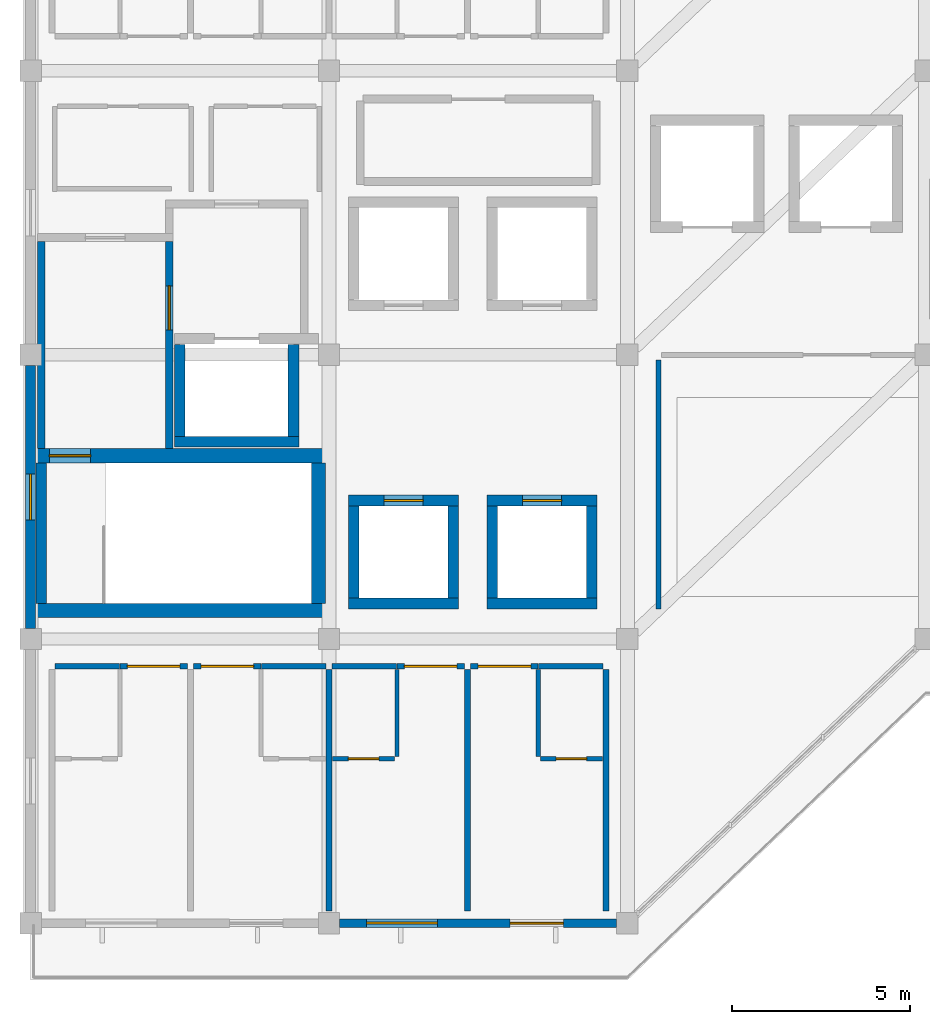
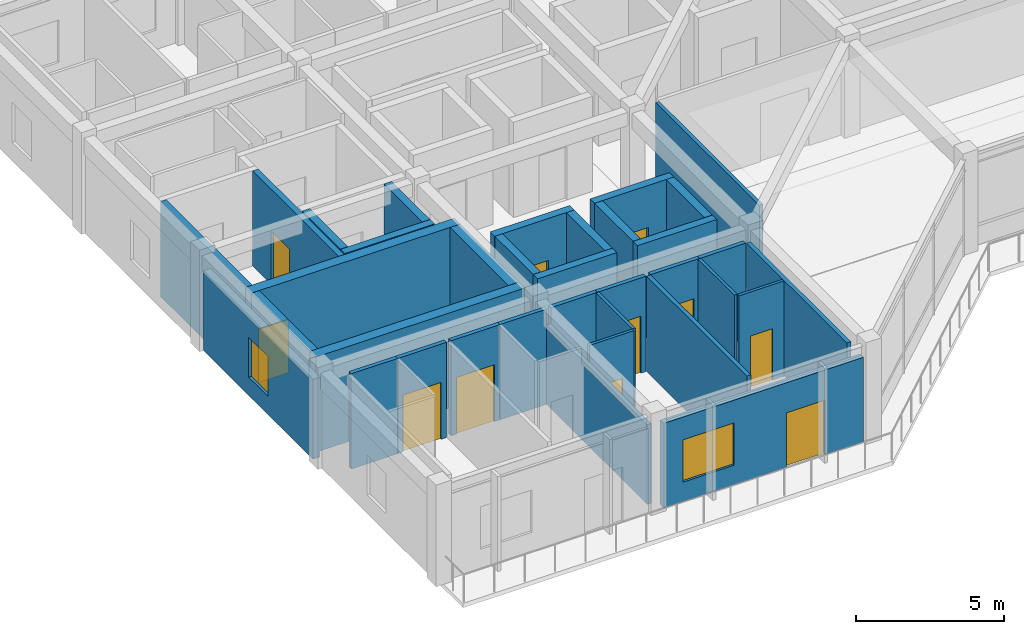
# One storey, part 7 of 11: 35 walls, 11 doors, 2 windows, 13 openings.
"""IFC4 building model written with IfcOpenShell, lengths in metres."""

from ifc_helpers import new_model, si_unit, direction, frame, frame_2d, origin, place, context, subcontext, project, spatial, rectangle, extrude, material, layer, layer_set, type_object, element, fill, save


model = new_model("IFC4")

# Units and contexts
model_context = context("Model", 3, precision=1e-05, world=origin(), true_north=direction((0.0, 1.0)))
body_context = subcontext(model_context, "Body", "Model", "MODEL_VIEW")
ifc_project = project(units=[si_unit("LENGTHUNIT", "METRE"), si_unit("AREAUNIT", "SQUARE_METRE"), si_unit("VOLUMEUNIT", "CUBIC_METRE"), si_unit("PLANEANGLEUNIT", "RADIAN"), si_unit("MASSUNIT", "GRAM", prefix="KILO")], contexts=[model_context])

# Site, building, storey
site_placement = place(None, origin())
site = spatial("IfcSite", under=ifc_project, at=site_placement, CompositionType="ELEMENT")
building_placement = place(site_placement, origin())
building = spatial("IfcBuilding", under=site, at=building_placement, Name="Naruveol Harbour Congress Hotel", CompositionType="ELEMENT")
storey_placement = place(building_placement, frame((0.0, 0.0, 47.39990234375)))
storey = spatial("IfcBuildingStorey", under=building, at=storey_placement, Name="L11", CompositionType="ELEMENT", Elevation=47.39990234375)

# Wall
ifc_material_1 = material(Name="Acoustic Double Stud Gypsum", Category="gypsum")
ifc_layer_1 = layer(ifc_material_1, 0.139892578125)
ifc_layer_set_1 = layer_set([ifc_layer_1], Name="Acoustic Double Stud Gypsum")
wall_type_1 = type_object("IfcWallType", Name="ACOUSTIC MEETING PARTITION WALL 140", PredefinedType="PARTITIONING", material=ifc_layer_set_1)
wall_1_placement = place(storey_placement, frame((143.679931640625, 8.85009765625, 0.0), z_axis=(0.0, 0.0, 1.0), x_axis=(0.0, 1.0, 0.0)))
element("IfcWall", 1, at=wall_1_placement, inside=storey, type_object=wall_type_1, Name="Sky Panorama Restaurant west partition PW-140", PredefinedType="PARTITIONING", context=body_context, shape_type="SweptSolid", body=[
    extrude(rectangle(XDim=7.010009765625, YDim=0.139892578125, at=frame_2d((3.5048828125, 0.0))), origin(), (0.0, 0.0, 1.0), 3.93505859375),
])

# Wall, opening, window
ifc_material_2 = material(Name="Precast concrete C40/50", Category="concrete")
ifc_layer_2 = layer(ifc_material_2, 0.280029296875)
ifc_layer_set_2 = layer_set([ifc_layer_2], Name="Precast concrete C40/50")
wall_type_2 = type_object("IfcWallType", Name="ARCHITECTURAL PRECAST FACADE WALL 280", PredefinedType="SOLIDWALL", material=ifc_layer_set_2)
wall_2_placement = place(storey_placement, frame((126.0, 8.300048828125, 0.0), z_axis=(0.0, 0.0, 1.0), x_axis=(0.0, 1.0, 0.0)))
wall_2 = element("IfcWall", 2, at=wall_2_placement, inside=storey, type_object=wall_type_2, Name="Hotel west gable wall L11 EW-280", PredefinedType="SOLIDWALL", context=body_context, shape_type="SweptSolid", body=[
    extrude(rectangle(XDim=7.39990234375, YDim=0.280029296875, at=frame_2d((3.699951171875, 0.0))), origin(), (0.0, 0.0, 1.0), 3.300048828125),
])
opening_1_placement = place(wall_2_placement, frame((3.050048828125, 0.0, 0.75)))
opening_1 = element("IfcOpeningElement", 3, at=opening_1_placement, cuts=wall_2, Name="Opening W-27", PredefinedType="OPENING", context=body_context, shape_type="SweptSolid", body=[
    extrude(rectangle(XDim=1.300048828125, YDim=1.64990234375, at=frame_2d((0.64990234375, 0.824951171875))), frame((0.0, 0.14990234375, 0.0), z_axis=(0.0, -1.0, 0.0), x_axis=(1.0, 0.0, 0.0)), (0.0, 0.0, 1.0), 0.300048828125),
])
ifc_material_3 = material(Name="Low-E Triple Glazing in Thermal Aluminium", Category="aluminium")
window_type_1 = type_object("IfcWindowType", Name="READING SALON TALL WINDOW 1300X1650", PartitioningType="SINGLE_PANEL", PredefinedType="WINDOW", material=ifc_material_3)
window_1_placement = place(opening_1_placement, origin())
window_1 = element("IfcWindow", 4, at=window_1_placement, inside=storey, type_object=window_type_1, Name="Window W-27 #515", OverallHeight=1.64990234375, OverallWidth=1.300048828125, PartitioningType="SINGLE_PANEL", PredefinedType="WINDOW", context=body_context, shape_type="SweptSolid", body=[
    extrude(rectangle(XDim=1.300048828125, YDim=1.64990234375, at=frame_2d((0.64990234375, 0.824951171875))), frame((0.0, 0.030029296875, 0.0), z_axis=(0.0, -1.0, 0.0), x_axis=(1.0, 0.0, 0.0)), (0.0, 0.0, 1.0), 0.06005859375),
])
fill(opening_1, window_1)

# Wall
ifc_material_4 = material(Name="Moisture-Resistant Gypsum Partition", Category="gypsum")
ifc_layer_3 = layer(ifc_material_4, 0.114990234375)
ifc_layer_set_3 = layer_set([ifc_layer_3], Name="Moisture-Resistant Gypsum Partition")
wall_type_3 = type_object("IfcWallType", Name="BATHROOM MOISTURE PARTITION WALL 115", PredefinedType="PARTITIONING", material=ifc_layer_set_3)
wall_3_placement = place(storey_placement, frame((136.31005859375, 4.68994140625, 0.0), z_axis=(0.0, 0.0, 1.0), x_axis=(0.0, 1.0, 0.0)))
element("IfcWall", 5, at=wall_3_placement, inside=storey, type_object=wall_type_3, Name="Bathroom east wall 1207 PW-115", PredefinedType="PARTITIONING", context=body_context, shape_type="SweptSolid", body=[
    extrude(rectangle(XDim=2.449951171875, YDim=0.114990234375, at=frame_2d((1.22509765625, 0.0))), origin(), (0.0, 0.0, 1.0), 3.93505859375),
])

# Wall, opening, door
wall_4_placement = place(storey_placement, frame((134.5, 4.6298828125, 0.0), z_axis=(0.0, 0.0, 1.0), x_axis=(1.0, 0.0, 0.0)))
wall_4 = element("IfcWall", 6, at=wall_4_placement, inside=storey, type_object=wall_type_3, Name="Bathroom south wall 1207 PW-115", PredefinedType="PARTITIONING", context=body_context, shape_type="SweptSolid", body=[
    extrude(rectangle(XDim=1.75, YDim=0.114990234375, at=frame_2d((0.875, 0.0))), origin(), (0.0, 0.0, 1.0), 3.93505859375),
])
opening_2_placement = place(wall_4_placement, frame((0.445068359375, 0.0, 0.0)))
opening_2 = element("IfcOpeningElement", 7, at=opening_2_placement, cuts=wall_4, Name="Opening BD-RM1207", PredefinedType="OPENING", context=body_context, shape_type="SweptSolid", body=[
    extrude(rectangle(XDim=0.860107421875, YDim=2.1201171875, at=frame_2d((0.43017578125, 1.06005859375))), frame((0.0, 0.0673828125, 0.0), z_axis=(0.0, -1.0, 0.0), x_axis=(1.0, 0.0, 0.0)), (0.0, 0.0, 1.0), 0.135009765625),
])
ifc_material_5 = material(Name="Timber & Steel Acoustic Leaf", Category="steel")
door_type_1 = type_object("IfcDoorType", Name="GUEST BATHROOM DOOR 860X2120", OperationType="NOTDEFINED", PredefinedType="DOOR", material=ifc_material_5)
door_1_placement = place(opening_2_placement, origin())
door_1 = element("IfcDoor", 8, at=door_1_placement, inside=storey, type_object=door_type_1, Name="Bathroom Door 1207", OperationType="SINGLE_SWING_LEFT", OverallHeight=2.1201171875, OverallWidth=0.860107421875, PredefinedType="DOOR", context=body_context, shape_type="SweptSolid", body=[
    extrude(rectangle(XDim=0.860107421875, YDim=2.1201171875, at=frame_2d((0.43017578125, 1.06005859375))), frame((0.0, 0.02490234375, 0.0), z_axis=(0.0, -1.0, 0.0), x_axis=(1.0, 0.0, 0.0)), (0.0, 0.0, 1.0), 0.050048828125),
])
fill(opening_2, door_1)

# Wall
wall_5_placement = place(storey_placement, frame((140.2900390625, 4.68994140625, 0.0), z_axis=(0.0, 0.0, 1.0), x_axis=(0.0, 1.0, 0.0)))
element("IfcWall", 9, at=wall_5_placement, inside=storey, type_object=wall_type_3, Name="Bathroom west wall 1208 PW-115", PredefinedType="PARTITIONING", context=body_context, shape_type="SweptSolid", body=[
    extrude(rectangle(XDim=2.449951171875, YDim=0.114990234375, at=frame_2d((1.22509765625, 0.0))), origin(), (0.0, 0.0, 1.0), 3.93505859375),
])

# Wall, opening, door
wall_6_placement = place(storey_placement, frame((140.35009765625, 4.6298828125, 0.0), z_axis=(0.0, 0.0, 1.0), x_axis=(1.0, 0.0, 0.0)))
wall_6 = element("IfcWall", 10, at=wall_6_placement, inside=storey, type_object=wall_type_3, Name="Bathroom south wall 1208 PW-115", PredefinedType="PARTITIONING", context=body_context, shape_type="SweptSolid", body=[
    extrude(rectangle(XDim=1.75, YDim=0.114990234375, at=frame_2d((0.875, 0.0))), origin(), (0.0, 0.0, 1.0), 3.93505859375),
])
opening_3_placement = place(wall_6_placement, frame((0.445068359375, 0.0, 0.0)))
opening_3 = element("IfcOpeningElement", 11, at=opening_3_placement, cuts=wall_6, Name="Opening BD-RM1208", PredefinedType="OPENING", context=body_context, shape_type="SweptSolid", body=[
    extrude(rectangle(XDim=0.860107421875, YDim=2.1201171875, at=frame_2d((0.43017578125, 1.06005859375))), frame((0.0, 0.0673828125, 0.0), z_axis=(0.0, -1.0, 0.0), x_axis=(1.0, 0.0, 0.0)), (0.0, 0.0, 1.0), 0.135009765625),
])
door_2_placement = place(opening_3_placement, origin())
door_2 = element("IfcDoor", 12, at=door_2_placement, inside=storey, type_object=door_type_1, Name="Bathroom Door 1208", OperationType="SINGLE_SWING_RIGHT", OverallHeight=2.1201171875, OverallWidth=0.860107421875, PredefinedType="DOOR", context=body_context, shape_type="SweptSolid", body=[
    extrude(rectangle(XDim=0.860107421875, YDim=2.1201171875, at=frame_2d((0.43017578125, 1.06005859375))), frame((0.0, 0.02490234375, 0.0), z_axis=(0.0, -1.0, 0.0), x_axis=(1.0, 0.0, 0.0)), (0.0, 0.0, 1.0), 0.050048828125),
])
fill(opening_3, door_2)

# Wall
ifc_material_6 = material(Name="Concrete C40/50", Category="concrete")
ifc_layer_4 = layer(ifc_material_6, 0.219970703125)
ifc_layer_set_4 = layer_set([ifc_layer_4], Name="Concrete C40/50")
wall_type_4 = type_object("IfcWallType", Name="FIRE COMPARTMENT AND LOBBY WALL 220 EI120", PredefinedType="PARTITIONING", material=ifc_layer_set_4)
wall_7_placement = place(storey_placement, frame((126.300048828125, 13.364990234375, 0.0), z_axis=(0.0, 0.0, 1.0), x_axis=(0.0, 1.0, 0.0)))
element("IfcWall", 13, at=wall_7_placement, inside=storey, type_object=wall_type_4, Name="Smoke vestibule ST1 west wall FW-220", PredefinedType="PARTITIONING", context=body_context, shape_type="SweptSolid", body=[
    extrude(rectangle(XDim=5.820068359375, YDim=0.219970703125, at=frame_2d((2.91015625, 0.0))), origin(), (0.0, 0.0, 1.0), 3.93505859375),
])

# Wall, opening, door
wall_8_placement = place(storey_placement, frame((129.89990234375, 13.364990234375, 0.0), z_axis=(0.0, 0.0, 1.0), x_axis=(0.0, 1.0, 0.0)))
wall_8 = element("IfcWall", 14, at=wall_8_placement, inside=storey, type_object=wall_type_4, Name="Smoke vestibule ST1 east wall FW-220", PredefinedType="PARTITIONING", context=body_context, shape_type="SweptSolid", body=[
    extrude(rectangle(XDim=5.820068359375, YDim=0.219970703125, at=frame_2d((2.91015625, 0.0))), origin(), (0.0, 0.0, 1.0), 3.93505859375),
])
opening_4_placement = place(wall_8_placement, frame((3.3349609375, 0.0, 0.0)))
opening_4 = element("IfcOpeningElement", 15, at=opening_4_placement, cuts=wall_8, Name="Opening FD-FFL-ST1-L11", PredefinedType="OPENING", context=body_context, shape_type="SweptSolid", body=[
    extrude(rectangle(XDim=1.239990234375, YDim=2.199951171875, at=frame_2d((0.6201171875, 1.10009765625))), frame((0.0, 0.119873046875, 0.0), z_axis=(0.0, -1.0, 0.0), x_axis=(1.0, 0.0, 0.0)), (0.0, 0.0, 1.0), 0.239990234375),
])
ifc_material_7 = material(Name="Timber & Steel Acoustic Leaf", Category="steel")
door_type_2 = type_object("IfcDoorType", Name="FIREFIGHTING LOBBY FIRE DOOR 1240X2200", OperationType="NOTDEFINED", PredefinedType="DOOR", material=ifc_material_7)
door_3_placement = place(opening_4_placement, origin())
door_3 = element("IfcDoor", 16, at=door_3_placement, inside=storey, type_object=door_type_2, Name="Firefighting Lobby Vestibule Door ST1 L11", OperationType="SINGLE_SWING_RIGHT", OverallHeight=2.199951171875, OverallWidth=1.239990234375, PredefinedType="DOOR", context=body_context, shape_type="SweptSolid", body=[
    extrude(rectangle(XDim=1.239990234375, YDim=2.199951171875, at=frame_2d((0.6201171875, 1.10009765625))), frame((0.0, 0.02490234375, 0.0), z_axis=(0.0, -1.0, 0.0), x_axis=(1.0, 0.0, 0.0)), (0.0, 0.0, 1.0), 0.050048828125),
])
fill(opening_4, door_3)

# Wall
ifc_material_8 = material(Name="Autoclaved Aerated Concrete Block", Category="concrete")
ifc_layer_5 = layer(ifc_material_8, 0.159912109375)
ifc_layer_set_5 = layer_set([ifc_layer_5], Name="Autoclaved Aerated Concrete Block")
wall_type_5 = type_object("IfcWallType", Name="HOTEL PARTY AND CORRIDOR WALL 160 EI60", PredefinedType="PARTITIONING", material=ifc_layer_set_5)
wall_9_placement = place(storey_placement, frame((126.68994140625, 7.22998046875, 0.0), z_axis=(0.0, 0.0, 1.0), x_axis=(1.0, 0.0, 0.0)))
element("IfcWall", 17, at=wall_9_placement, inside=storey, type_object=wall_type_5, Name="Corridor wall 1205B PW-160", PredefinedType="PARTITIONING", context=body_context, shape_type="SweptSolid", body=[
    extrude(rectangle(XDim=1.81005859375, YDim=0.159912109375, at=frame_2d((0.905029296875, 0.0))), origin(), (0.0, 0.0, 1.0), 3.93505859375),
])

# Wall, opening, door
wall_10_placement = place(storey_placement, frame((128.510009765625, 7.22998046875, 0.0), z_axis=(0.0, 0.0, 1.0), x_axis=(1.0, 0.0, 0.0)))
wall_10 = element("IfcWall", 18, at=wall_10_placement, inside=storey, type_object=wall_type_5, Name="Corridor entry wall 1205 PW-160", PredefinedType="PARTITIONING", context=body_context, shape_type="SweptSolid", body=[
    extrude(rectangle(XDim=1.89990234375, YDim=0.159912109375, at=frame_2d((0.949951171875, 0.0))), origin(), (0.0, 0.0, 1.0), 3.93505859375),
])
opening_5_placement = place(wall_10_placement, frame((0.2099609375, 0.0, 0.0)))
opening_5 = element("IfcOpeningElement", 19, at=opening_5_placement, cuts=wall_10, Name="Opening FD-RM1205", PredefinedType="OPENING", context=body_context, shape_type="SweptSolid", body=[
    extrude(rectangle(XDim=1.47998046875, YDim=2.35009765625, at=frame_2d((0.739990234375, 1.175048828125))), frame((0.0, 0.08984375, 0.0), z_axis=(0.0, -1.0, 0.0), x_axis=(1.0, 0.0, 0.0)), (0.0, 0.0, 1.0), 0.179931640625),
])
ifc_material_9 = material(Name="Timber & Steel Acoustic Leaf", Category="steel")
door_type_3 = type_object("IfcDoorType", Name="PRESIDENTIAL SUITE DOUBLE FIRE DOOR 1480X2350", OperationType="DOUBLE_DOOR_SINGLE_SWING", PredefinedType="DOOR", material=ifc_material_9)
door_4_placement = place(opening_5_placement, origin())
door_4 = element("IfcDoor", 20, at=door_4_placement, inside=storey, type_object=door_type_3, Name="Hotel Room Door 1205", OperationType="DOUBLE_DOOR_SINGLE_SWING", OverallHeight=2.35009765625, OverallWidth=1.47998046875, PredefinedType="DOOR", context=body_context, shape_type="SweptSolid", body=[
    extrude(rectangle(XDim=1.47998046875, YDim=2.35009765625, at=frame_2d((0.739990234375, 1.175048828125))), frame((0.0, 0.02490234375, 0.0), z_axis=(0.0, -1.0, 0.0), x_axis=(1.0, 0.0, 0.0)), (0.0, 0.0, 1.0), 0.050048828125),
])
fill(opening_5, door_4)

wall_11_placement = place(storey_placement, frame((130.590087890625, 7.22998046875, 0.0), z_axis=(0.0, 0.0, 1.0), x_axis=(1.0, 0.0, 0.0)))
wall_11 = element("IfcWall", 21, at=wall_11_placement, inside=storey, type_object=wall_type_5, Name="Corridor entry wall 1206 PW-160", PredefinedType="PARTITIONING", context=body_context, shape_type="SweptSolid", body=[
    extrude(rectangle(XDim=1.89990234375, YDim=0.159912109375, at=frame_2d((0.949951171875, 0.0))), origin(), (0.0, 0.0, 1.0), 3.93505859375),
])
opening_6_placement = place(wall_11_placement, frame((0.2099609375, 0.0, 0.0)))
opening_6 = element("IfcOpeningElement", 22, at=opening_6_placement, cuts=wall_11, Name="Opening FD-RM1206", PredefinedType="OPENING", context=body_context, shape_type="SweptSolid", body=[
    extrude(rectangle(XDim=1.47998046875, YDim=2.35009765625, at=frame_2d((0.739990234375, 1.175048828125))), frame((0.0, 0.08984375, 0.0), z_axis=(0.0, -1.0, 0.0), x_axis=(1.0, 0.0, 0.0)), (0.0, 0.0, 1.0), 0.179931640625),
])
door_5_placement = place(opening_6_placement, origin())
door_5 = element("IfcDoor", 23, at=door_5_placement, inside=storey, type_object=door_type_3, Name="Hotel Room Door 1206", OperationType="DOUBLE_DOOR_SINGLE_SWING", OverallHeight=2.35009765625, OverallWidth=1.47998046875, PredefinedType="DOOR", context=body_context, shape_type="SweptSolid", body=[
    extrude(rectangle(XDim=1.47998046875, YDim=2.35009765625, at=frame_2d((0.739990234375, 1.175048828125))), frame((0.0, 0.02490234375, 0.0), z_axis=(0.0, -1.0, 0.0), x_axis=(1.0, 0.0, 0.0)), (0.0, 0.0, 1.0), 0.050048828125),
])
fill(opening_6, door_5)

# Walls
for number, where, z_axis, x_axis, name in (
    (24, (132.5, 7.22998046875, 0.0), (0.0, 0.0, 1.0), (1.0, 0.0, 0.0), "Corridor wall 1206B PW-160"),
    (25, (134.489990234375, 7.22998046875, 0.0), (0.0, 0.0, 1.0), (1.0, 0.0, 0.0), "Corridor wall 1207B PW-160"),
):
    element("IfcWall", number, at=place(storey_placement, frame(where, z_axis=z_axis, x_axis=x_axis)), inside=storey, type_object=wall_type_5, Name=name, PredefinedType="PARTITIONING", context=body_context, shape_type="SweptSolid", body=[
        extrude(rectangle(XDim=1.81005859375, YDim=0.159912109375, at=frame_2d((0.905029296875, 0.0))), origin(), (0.0, 0.0, 1.0), 3.93505859375),
    ])

# Wall, opening, door
wall_12_placement = place(storey_placement, frame((136.31005859375, 7.22998046875, 0.0), z_axis=(0.0, 0.0, 1.0), x_axis=(1.0, 0.0, 0.0)))
wall_12 = element("IfcWall", 26, at=wall_12_placement, inside=storey, type_object=wall_type_5, Name="Corridor entry wall 1207 PW-160", PredefinedType="PARTITIONING", context=body_context, shape_type="SweptSolid", body=[
    extrude(rectangle(XDim=1.89990234375, YDim=0.159912109375, at=frame_2d((0.949951171875, 0.0))), origin(), (0.0, 0.0, 1.0), 3.93505859375),
])
opening_7_placement = place(wall_12_placement, frame((0.2099609375, 0.0, 0.0)))
opening_7 = element("IfcOpeningElement", 27, at=opening_7_placement, cuts=wall_12, Name="Opening FD-RM1207", PredefinedType="OPENING", context=body_context, shape_type="SweptSolid", body=[
    extrude(rectangle(XDim=1.47998046875, YDim=2.35009765625, at=frame_2d((0.739990234375, 1.175048828125))), frame((0.0, 0.08984375, 0.0), z_axis=(0.0, -1.0, 0.0), x_axis=(1.0, 0.0, 0.0)), (0.0, 0.0, 1.0), 0.179931640625),
])
door_6_placement = place(opening_7_placement, origin())
door_6 = element("IfcDoor", 28, at=door_6_placement, inside=storey, type_object=door_type_3, Name="Hotel Room Door 1207", OperationType="DOUBLE_DOOR_SINGLE_SWING", OverallHeight=2.35009765625, OverallWidth=1.47998046875, PredefinedType="DOOR", context=body_context, shape_type="SweptSolid", body=[
    extrude(rectangle(XDim=1.47998046875, YDim=2.35009765625, at=frame_2d((0.739990234375, 1.175048828125))), frame((0.0, 0.02490234375, 0.0), z_axis=(0.0, -1.0, 0.0), x_axis=(1.0, 0.0, 0.0)), (0.0, 0.0, 1.0), 0.050048828125),
])
fill(opening_7, door_6)

# Wall
wall_13_placement = place(storey_placement, frame((134.39990234375, 0.340087890625, 0.0), z_axis=(0.0, 0.0, 1.0), x_axis=(0.0, 1.0, 0.0)))
element("IfcWall", 29, at=wall_13_placement, inside=storey, type_object=wall_type_5, Name="Hotel party wall 1207 PW-160", PredefinedType="PARTITIONING", context=body_context, shape_type="SweptSolid", body=[
    extrude(rectangle(XDim=6.7998046875, YDim=0.159912109375, at=frame_2d((3.39990234375, 0.0))), origin(), (0.0, 0.0, 1.0), 3.2900390625),
])

# Wall, opening, door
wall_14_placement = place(storey_placement, frame((138.389892578125, 7.22998046875, 0.0), z_axis=(0.0, 0.0, 1.0), x_axis=(1.0, 0.0, 0.0)))
wall_14 = element("IfcWall", 30, at=wall_14_placement, inside=storey, type_object=wall_type_5, Name="Corridor entry wall 1208 PW-160", PredefinedType="PARTITIONING", context=body_context, shape_type="SweptSolid", body=[
    extrude(rectangle(XDim=1.900146484375, YDim=0.159912109375, at=frame_2d((0.9501953125, 0.0))), origin(), (0.0, 0.0, 1.0), 3.93505859375),
])
opening_8_placement = place(wall_14_placement, frame((0.2099609375, 0.0, 0.0)))
opening_8 = element("IfcOpeningElement", 31, at=opening_8_placement, cuts=wall_14, Name="Opening FD-RM1208", PredefinedType="OPENING", context=body_context, shape_type="SweptSolid", body=[
    extrude(rectangle(XDim=1.47998046875, YDim=2.35009765625, at=frame_2d((0.739990234375, 1.175048828125))), frame((0.0, 0.08984375, 0.0), z_axis=(0.0, -1.0, 0.0), x_axis=(1.0, 0.0, 0.0)), (0.0, 0.0, 1.0), 0.179931640625),
])
door_7_placement = place(opening_8_placement, origin())
door_7 = element("IfcDoor", 32, at=door_7_placement, inside=storey, type_object=door_type_3, Name="Hotel Room Door 1208", OperationType="DOUBLE_DOOR_SINGLE_SWING", OverallHeight=2.35009765625, OverallWidth=1.47998046875, PredefinedType="DOOR", context=body_context, shape_type="SweptSolid", body=[
    extrude(rectangle(XDim=1.47998046875, YDim=2.35009765625, at=frame_2d((0.739990234375, 1.175048828125))), frame((0.0, 0.02490234375, 0.0), z_axis=(0.0, -1.0, 0.0), x_axis=(1.0, 0.0, 0.0)), (0.0, 0.0, 1.0), 0.050048828125),
])
fill(opening_8, door_7)

# Walls
wall_15_placement = place(storey_placement, frame((140.300048828125, 7.22998046875, 0.0), z_axis=(0.0, 0.0, 1.0), x_axis=(1.0, 0.0, 0.0)))
element("IfcWall", 33, at=wall_15_placement, inside=storey, type_object=wall_type_5, Name="Corridor wall 1208B PW-160", PredefinedType="PARTITIONING", context=body_context, shape_type="SweptSolid", body=[
    extrude(rectangle(XDim=1.81005859375, YDim=0.159912109375, at=frame_2d((0.905029296875, 0.0))), origin(), (0.0, 0.0, 1.0), 3.93505859375),
])
for number, where, z_axis, x_axis, name in (
    (34, (138.300048828125, 0.340087890625, 0.0), (0.0, 0.0, 1.0), (0.0, 1.0, 0.0), "Hotel party wall 1208 PW-160"),
    (35, (142.199951171875, 0.340087890625, 0.0), (0.0, 0.0, 1.0), (0.0, 1.0, 0.0), "Hotel end party wall 1208 PW-160"),
):
    element("IfcWall", number, at=place(storey_placement, frame(where, z_axis=z_axis, x_axis=x_axis)), inside=storey, type_object=wall_type_5, Name=name, PredefinedType="PARTITIONING", context=body_context, shape_type="SweptSolid", body=[
        extrude(rectangle(XDim=6.7998046875, YDim=0.159912109375, at=frame_2d((3.39990234375, 0.0))), origin(), (0.0, 0.0, 1.0), 3.93505859375),
    ])

# Wall, openings, window, door
ifc_material_10 = material(Name="Concrete C40/50", Category="concrete")
ifc_layer_6 = layer(ifc_material_10, 0.239990234375)
ifc_layer_set_6 = layer_set([ifc_layer_6], Name="Concrete C40/50")
wall_type_6 = type_object("IfcWallType", Name="INSULATED HOTEL SPANDREL WALL 240", PredefinedType="SOLIDWALL", material=ifc_layer_set_6)
wall_16_placement = place(storey_placement, frame((142.5, 0.0, 0.0), z_axis=(0.0, 0.0, 1.0), x_axis=(-1.0, 0.0, 0.0)))
wall_16 = element("IfcWall", 36, at=wall_16_placement, inside=storey, type_object=wall_type_6, Name="Hotel south waterfront wall L11 EW-240", PredefinedType="SOLIDWALL", context=body_context, shape_type="SweptSolid", body=[
    extrude(rectangle(XDim=7.800048828125, YDim=0.239990234375, at=frame_2d((3.89990234375, 0.0))), origin(), (0.0, 0.0, 1.0), 3.489990234375),
])
opening_9_placement = place(wall_16_placement, frame((1.5, 0.0, 0.0)))
opening_9 = element("IfcOpeningElement", 37, at=opening_9_placement, cuts=wall_16, Name="Opening BD-150-080", PredefinedType="OPENING", context=body_context, shape_type="SweptSolid", body=[
    extrude(rectangle(XDim=1.5, YDim=2.25, at=frame_2d((0.75, 1.125))), frame((0.0, 0.1298828125, 0.0), z_axis=(0.0, -1.0, 0.0), x_axis=(1.0, 0.0, 0.0)), (0.0, 0.0, 1.0), 0.260009765625),
])
opening_10_placement = place(wall_16_placement, frame((5.050048828125, 0.0, 0.800048828125)))
opening_10 = element("IfcOpeningElement", 38, at=opening_10_placement, cuts=wall_16, Name="Opening W-05", PredefinedType="OPENING", context=body_context, shape_type="SweptSolid", body=[
    extrude(rectangle(XDim=2.0, YDim=1.75, at=frame_2d((1.0, 0.875))), frame((0.0, 0.1298828125, 0.0), z_axis=(0.0, -1.0, 0.0), x_axis=(1.0, 0.0, 0.0)), (0.0, 0.0, 1.0), 0.260009765625),
])
ifc_material_11 = material(Name="Low-E Triple Glazing in Thermal Aluminium", Category="aluminium")
window_type_2 = type_object("IfcWindowType", Name="GARDEN SUITE WINDOW 2000X1750", PartitioningType="DOUBLE_PANEL_VERTICAL", PredefinedType="WINDOW", material=ifc_material_11)
window_2_placement = place(opening_10_placement, origin())
window_2 = element("IfcWindow", 39, at=window_2_placement, inside=storey, type_object=window_type_2, Name="Window W-05 #508", OverallHeight=1.75, OverallWidth=2.0, PartitioningType="DOUBLE_PANEL_VERTICAL", PredefinedType="WINDOW", context=body_context, shape_type="SweptSolid", body=[
    extrude(rectangle(XDim=2.0, YDim=1.75, at=frame_2d((1.0, 0.875))), frame((0.0, 0.030029296875, 0.0), z_axis=(0.0, -1.0, 0.0), x_axis=(1.0, 0.0, 0.0)), (0.0, 0.0, 1.0), 0.06005859375),
])
fill(opening_10, window_2)
ifc_material_12 = material(Name="Powder-Coated Steel & Insulated Glazing", Category="steel")
door_type_4 = type_object("IfcDoorType", Name="SUITE BALCONY SLIDING DOOR 1500X2250", OperationType="SLIDING_TO_LEFT", PredefinedType="DOOR", material=ifc_material_12)
door_8_placement = place(opening_9_placement, origin())
door_8 = element("IfcDoor", 40, at=door_8_placement, inside=storey, type_object=door_type_4, Name="Exterior door BD-150-080", OperationType="SLIDING_TO_LEFT", OverallHeight=2.25, OverallWidth=1.5, PredefinedType="DOOR", context=body_context, shape_type="SweptSolid", body=[
    extrude(rectangle(XDim=1.5, YDim=2.25, at=frame_2d((0.75, 1.125))), frame((0.0, 0.02490234375, 0.0), z_axis=(0.0, -1.0, 0.0), x_axis=(1.0, 0.0, 0.0)), (0.0, 0.0, 1.0), 0.050048828125),
])
fill(opening_9, door_8)

# Walls
ifc_material_13 = material(Name="Concrete C50/60", Category="concrete")
ifc_layer_7 = layer(ifc_material_13, 0.39990234375)
ifc_layer_set_7 = layer_set([ifc_layer_7], Name="Concrete C50/60")
wall_type_7 = type_object("IfcWallType", Name="RC CORE SHEAR WALL 400 EI120", PredefinedType="SHEAR", material=ifc_layer_set_7)
wall_17_placement = place(storey_placement, frame((126.14990234375, 8.800048828125, 0.0), z_axis=(0.0, 0.0, 1.0), x_axis=(1.0, 0.0, 0.0)))
element("IfcWall", 41, at=wall_17_placement, inside=storey, type_object=wall_type_7, Name="Stair ST1 south core wall CW-400", PredefinedType="SHEAR", context=body_context, shape_type="SweptSolid", body=[
    extrude(rectangle(XDim=8.150146484375, YDim=0.39990234375, at=frame_2d((4.0751953125, 0.0))), origin(), (0.0, 0.0, 1.0), 3.93505859375),
])
wall_18_placement = place(storey_placement, frame((134.10009765625, 9.0048828125, 0.0), z_axis=(0.0, 0.0, 1.0), x_axis=(0.0, 1.0, 0.0)))
element("IfcWall", 42, at=wall_18_placement, inside=storey, type_object=wall_type_7, Name="Stair ST1 east core wall CW-400", PredefinedType="SHEAR", context=body_context, shape_type="SweptSolid", body=[
    extrude(rectangle(XDim=3.9501953125, YDim=0.39990234375, at=frame_2d((1.97509765625, 0.0))), origin(), (0.0, 0.0, 1.0), 3.93505859375),
])

# Wall, opening, door
wall_19_placement = place(storey_placement, frame((126.14990234375, 13.159912109375, 0.0), z_axis=(0.0, 0.0, 1.0), x_axis=(1.0, 0.0, 0.0)))
wall_19 = element("IfcWall", 43, at=wall_19_placement, inside=storey, type_object=wall_type_7, Name="Stair ST1 north core wall CW-400", PredefinedType="SHEAR", context=body_context, shape_type="SweptSolid", body=[
    extrude(rectangle(XDim=8.150146484375, YDim=0.39990234375, at=frame_2d((4.0751953125, 0.0))), origin(), (0.0, 0.0, 1.0), 3.93505859375),
])
opening_11_placement = place(wall_19_placement, frame((0.3798828125, 0.0, 0.0)))
opening_11 = element("IfcOpeningElement", 44, at=opening_11_placement, cuts=wall_19, Name="Opening FD-ST1-S-L11", PredefinedType="OPENING", context=body_context, shape_type="SweptSolid", body=[
    extrude(rectangle(XDim=1.159912109375, YDim=2.199951171875, at=frame_2d((0.580078125, 1.10009765625))), frame((0.0, 0.2099609375, 0.0), z_axis=(0.0, -1.0, 0.0), x_axis=(1.0, 0.0, 0.0)), (0.0, 0.0, 1.0), 0.419921875),
])
ifc_material_14 = material(Name="Timber & Steel Acoustic Leaf", Category="steel")
door_type_5 = type_object("IfcDoorType", Name="SPECIAL ESCAPE STAIR FIRE DOOR 1160X2200", OperationType="NOTDEFINED", PredefinedType="DOOR", material=ifc_material_14)
door_9_placement = place(opening_11_placement, origin())
door_9 = element("IfcDoor", 45, at=door_9_placement, inside=storey, type_object=door_type_5, Name="Special Escape Stair Door ST1 L11", OperationType="SINGLE_SWING_RIGHT", OverallHeight=2.199951171875, OverallWidth=1.159912109375, PredefinedType="DOOR", context=body_context, shape_type="SweptSolid", body=[
    extrude(rectangle(XDim=1.159912109375, YDim=2.199951171875, at=frame_2d((0.580078125, 1.10009765625))), frame((0.0, 0.02490234375, 0.0), z_axis=(0.0, -1.0, 0.0), x_axis=(1.0, 0.0, 0.0)), (0.0, 0.0, 1.0), 0.050048828125),
])
fill(opening_11, door_9)

# Walls
ifc_material_15 = material(Name="Concrete C50/60", Category="concrete")
ifc_layer_8 = layer(ifc_material_15, 0.300048828125)
ifc_layer_set_8 = layer_set([ifc_layer_8], Name="Concrete C50/60")
wall_type_8 = type_object("IfcWallType", Name="RC STAIR AND HOISTWAY SHEAR WALL 300 EI120", PredefinedType="SHEAR", material=ifc_layer_set_8)
wall_20_placement = place(storey_placement, frame((134.949951171875, 9.0, 0.0), z_axis=(0.0, 0.0, 1.0), x_axis=(1.0, 0.0, 0.0)))
element("IfcWall", 46, at=wall_20_placement, inside=storey, type_object=wall_type_8, Name="Hoistway south shear wall PL3 SW-300", PredefinedType="SHEAR", context=body_context, shape_type="SweptSolid", body=[
    extrude(rectangle(XDim=3.10009765625, YDim=0.300048828125, at=frame_2d((1.550048828125, 0.0))), origin(), (0.0, 0.0, 1.0), 3.93505859375),
])
wall_21_placement = place(storey_placement, frame((137.89990234375, 9.155029296875, 0.0), z_axis=(0.0, 0.0, 1.0), x_axis=(0.0, 1.0, 0.0)))
element("IfcWall", 47, at=wall_21_placement, inside=storey, type_object=wall_type_8, Name="Hoistway east shear wall PL3 SW-300", PredefinedType="SHEAR", context=body_context, shape_type="SweptSolid", body=[
    extrude(rectangle(XDim=2.590087890625, YDim=0.300048828125, at=frame_2d((1.294921875, 0.0))), origin(), (0.0, 0.0, 1.0), 3.93505859375),
])

# Wall, opening, door
wall_22_placement = place(storey_placement, frame((138.050048828125, 11.89990234375, 0.0), z_axis=(0.0, 0.0, 1.0), x_axis=(-1.0, 0.0, 0.0)))
wall_22 = element("IfcWall", 48, at=wall_22_placement, inside=storey, type_object=wall_type_8, Name="Hoistway north shear wall PL3 SW-300", PredefinedType="SHEAR", context=body_context, shape_type="SweptSolid", body=[
    extrude(rectangle(XDim=3.10009765625, YDim=0.300048828125, at=frame_2d((1.550048828125, 0.0))), origin(), (0.0, 0.0, 1.0), 3.93505859375),
])
opening_12_placement = place(wall_22_placement, frame((1.0, 0.0, 0.0)))
opening_12 = element("IfcOpeningElement", 49, at=opening_12_placement, cuts=wall_22, Name="Opening LD-PL3-L11", PredefinedType="OPENING", context=body_context, shape_type="SweptSolid", body=[
    extrude(rectangle(XDim=1.10009765625, YDim=2.199951171875, at=frame_2d((0.550048828125, 1.10009765625))), frame((0.0, 0.159912109375, 0.0), z_axis=(0.0, -1.0, 0.0), x_axis=(1.0, 0.0, 0.0)), (0.0, 0.0, 1.0), 0.320068359375),
])
ifc_material_16 = material(Name="Stainless Steel Lift Door", Category="steel")
door_type_6 = type_object("IfcDoorType", Name="PASSENGER LIFT LANDING DOOR 1100X2200", OperationType="DOUBLE_DOOR_SLIDING", PredefinedType="DOOR", material=ifc_material_16)
door_10_placement = place(opening_12_placement, origin())
door_10 = element("IfcDoor", 50, at=door_10_placement, inside=storey, type_object=door_type_6, Name="Elevator Landing Door PL3 L11", OperationType="DOUBLE_DOOR_SLIDING", OverallHeight=2.199951171875, OverallWidth=1.10009765625, PredefinedType="DOOR", context=body_context, shape_type="SweptSolid", body=[
    extrude(rectangle(XDim=1.10009765625, YDim=2.199951171875, at=frame_2d((0.550048828125, 1.10009765625))), frame((0.0, 0.02490234375, 0.0), z_axis=(0.0, -1.0, 0.0), x_axis=(1.0, 0.0, 0.0)), (0.0, 0.0, 1.0), 0.050048828125),
])
fill(opening_12, door_10)

# Walls
wall_23_placement = place(storey_placement, frame((135.10009765625, 11.7451171875, 0.0), z_axis=(0.0, 0.0, 1.0), x_axis=(0.0, -1.0, 0.0)))
element("IfcWall", 51, at=wall_23_placement, inside=storey, type_object=wall_type_8, Name="Hoistway west shear wall PL3 SW-300", PredefinedType="SHEAR", context=body_context, shape_type="SweptSolid", body=[
    extrude(rectangle(XDim=2.590087890625, YDim=0.300048828125, at=frame_2d((1.294921875, 0.0))), origin(), (0.0, 0.0, 1.0), 3.93505859375),
])
wall_24_placement = place(storey_placement, frame((138.85009765625, 9.0, 0.0), z_axis=(0.0, 0.0, 1.0), x_axis=(1.0, 0.0, 0.0)))
element("IfcWall", 52, at=wall_24_placement, inside=storey, type_object=wall_type_8, Name="Hoistway south shear wall PL4 SW-300", PredefinedType="SHEAR", context=body_context, shape_type="SweptSolid", body=[
    extrude(rectangle(XDim=3.099853515625, YDim=0.300048828125, at=frame_2d((1.5498046875, 0.0))), origin(), (0.0, 0.0, 1.0), 3.93505859375),
])
wall_25_placement = place(storey_placement, frame((141.800048828125, 9.155029296875, 0.0), z_axis=(0.0, 0.0, 1.0), x_axis=(0.0, 1.0, 0.0)))
element("IfcWall", 53, at=wall_25_placement, inside=storey, type_object=wall_type_8, Name="Hoistway east shear wall PL4 SW-300", PredefinedType="SHEAR", context=body_context, shape_type="SweptSolid", body=[
    extrude(rectangle(XDim=2.590087890625, YDim=0.300048828125, at=frame_2d((1.294921875, 0.0))), origin(), (0.0, 0.0, 1.0), 3.93505859375),
])

# Wall, opening, door
wall_26_placement = place(storey_placement, frame((141.949951171875, 11.89990234375, 0.0), z_axis=(0.0, 0.0, 1.0), x_axis=(-1.0, 0.0, 0.0)))
wall_26 = element("IfcWall", 54, at=wall_26_placement, inside=storey, type_object=wall_type_8, Name="Hoistway north shear wall PL4 SW-300", PredefinedType="SHEAR", context=body_context, shape_type="SweptSolid", body=[
    extrude(rectangle(XDim=3.099853515625, YDim=0.300048828125, at=frame_2d((1.5498046875, 0.0))), origin(), (0.0, 0.0, 1.0), 3.93505859375),
])
opening_13_placement = place(wall_26_placement, frame((1.0, 0.0, 0.0)))
opening_13 = element("IfcOpeningElement", 55, at=opening_13_placement, cuts=wall_26, Name="Opening LD-PL4-L11", PredefinedType="OPENING", context=body_context, shape_type="SweptSolid", body=[
    extrude(rectangle(XDim=1.10009765625, YDim=2.199951171875, at=frame_2d((0.550048828125, 1.10009765625))), frame((0.0, 0.159912109375, 0.0), z_axis=(0.0, -1.0, 0.0), x_axis=(1.0, 0.0, 0.0)), (0.0, 0.0, 1.0), 0.320068359375),
])
door_11_placement = place(opening_13_placement, origin())
door_11 = element("IfcDoor", 56, at=door_11_placement, inside=storey, type_object=door_type_6, Name="Elevator Landing Door PL4 L11", OperationType="DOUBLE_DOOR_SLIDING", OverallHeight=2.199951171875, OverallWidth=1.10009765625, PredefinedType="DOOR", context=body_context, shape_type="SweptSolid", body=[
    extrude(rectangle(XDim=1.10009765625, YDim=2.199951171875, at=frame_2d((0.550048828125, 1.10009765625))), frame((0.0, 0.02490234375, 0.0), z_axis=(0.0, -1.0, 0.0), x_axis=(1.0, 0.0, 0.0)), (0.0, 0.0, 1.0), 0.050048828125),
])
fill(opening_13, door_11)

# Walls
wall_27_placement = place(storey_placement, frame((139.0, 11.7451171875, 0.0), z_axis=(0.0, 0.0, 1.0), x_axis=(0.0, -1.0, 0.0)))
element("IfcWall", 57, at=wall_27_placement, inside=storey, type_object=wall_type_8, Name="Hoistway west shear wall PL4 SW-300", PredefinedType="SHEAR", context=body_context, shape_type="SweptSolid", body=[
    extrude(rectangle(XDim=2.590087890625, YDim=0.300048828125, at=frame_2d((1.294921875, 0.0))), origin(), (0.0, 0.0, 1.0), 3.93505859375),
])
wall_28_placement = place(storey_placement, frame((130.050048828125, 13.550048828125, 0.0), z_axis=(0.0, 0.0, 1.0), x_axis=(1.0, 0.0, 0.0)))
element("IfcWall", 58, at=wall_28_placement, inside=storey, type_object=wall_type_8, Name="Hoistway south shear wall FL1 SW-300", PredefinedType="SHEAR", context=body_context, shape_type="SweptSolid", body=[
    extrude(rectangle(XDim=3.5, YDim=0.300048828125, at=frame_2d((1.75, 0.0))), origin(), (0.0, 0.0, 1.0), 3.93505859375),
])
for number, where, z_axis, x_axis, name in (
    (59, (133.39990234375, 13.705078125, 0.0), (0.0, 0.0, 1.0), (0.0, 1.0, 0.0), "Hoistway east shear wall FL1 SW-300"),
    (60, (130.199951171875, 16.294921875, 0.0), (0.0, 0.0, 1.0), (0.0, -1.0, 0.0), "Hoistway west shear wall FL1 SW-300"),
):
    element("IfcWall", number, at=place(storey_placement, frame(where, z_axis=z_axis, x_axis=x_axis)), inside=storey, type_object=wall_type_8, Name=name, PredefinedType="SHEAR", context=body_context, shape_type="SweptSolid", body=[
        extrude(rectangle(XDim=2.58984375, YDim=0.300048828125, at=frame_2d((1.294921875, 0.0))), origin(), (0.0, 0.0, 1.0), 3.93505859375),
    ])
wall_29_placement = place(storey_placement, frame((126.300048828125, 9.0048828125, 0.0), z_axis=(0.0, 0.0, 1.0), x_axis=(0.0, 1.0, 0.0)))
element("IfcWall", 61, at=wall_29_placement, inside=storey, type_object=wall_type_8, Name="Stair ST1 west core wall SW-300", PredefinedType="SHEAR", context=body_context, shape_type="SweptSolid", body=[
    extrude(rectangle(XDim=3.9501953125, YDim=0.300048828125, at=frame_2d((1.97509765625, 0.0))), origin(), (0.0, 0.0, 1.0), 3.93505859375),
])

save(model, "model.ifc")
